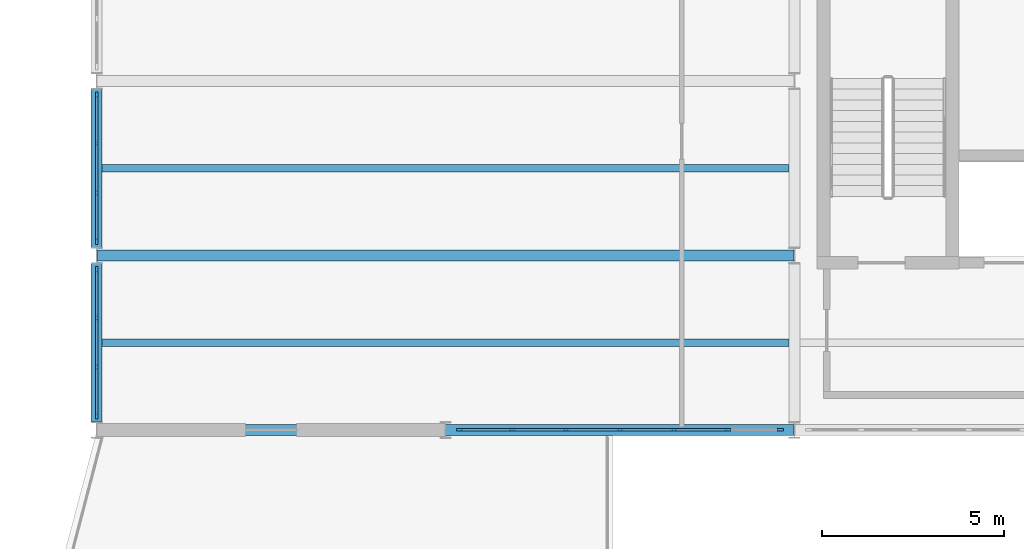
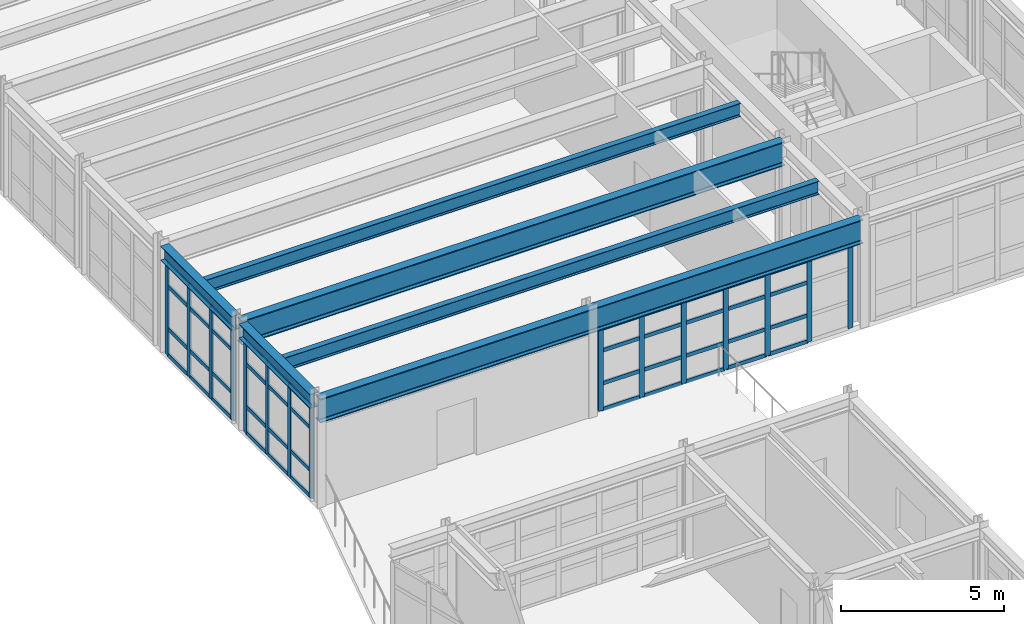
# One storey, part 14 of 47: 59 members, 6 beams, 3 elements without a shape of their own.
"""IFC4 building model written with IfcOpenShell, lengths in metres."""

from ifc_helpers import new_model, si_unit, direction, frame, origin, origin_2d, place, context, subcontext, project, spatial, rectangle, i_section, extrude, material, layer, layer_set, material_profile, profile_set, type_object, element, aggregate, save


model = new_model("IFC4")

# Units and contexts
model_context = context("Model", 3, precision=1e-05, world=origin(), true_north=direction((0.0, 1.0)))
body_context = subcontext(model_context, "Body", "Model", "MODEL_VIEW")
ifc_project = project(units=[si_unit("LENGTHUNIT", "METRE"), si_unit("AREAUNIT", "SQUARE_METRE"), si_unit("VOLUMEUNIT", "CUBIC_METRE"), si_unit("PLANEANGLEUNIT", "RADIAN"), si_unit("MASSUNIT", "GRAM", prefix="KILO")], contexts=[model_context])

# Site, building, storey
site_placement = place(None, origin())
site = spatial("IfcSite", under=ifc_project, at=site_placement, CompositionType="ELEMENT")
building_placement = place(site_placement, origin())
building = spatial("IfcBuilding", under=site, at=building_placement, Name="Nordkorset Police Headquarters", CompositionType="ELEMENT")
storey_placement = place(building_placement, frame((0.0, 0.0, 22.050048828125)))
storey = spatial("IfcBuildingStorey", under=building, at=storey_placement, Name="L05", CompositionType="ELEMENT", Elevation=22.050048828125)

# Beams
ifc_material_1 = material(Name="Steel S355J2", Category="steel")
ifc_material_profile_1 = material_profile(ifc_material_1, i_section(OverallWidth=0.199951171875, OverallDepth=0.5, WebThickness=0.01025390625, FlangeThickness=0.01611328125, FilletRadius=0.02099609375, at=origin_2d()), Name="IPE 500")
ifc_profile_set_1 = profile_set([ifc_material_profile_1], Name="Steel S355J2")
beam_type_1 = type_object("IfcBeamType", Name="Beam_IPE_500", PredefinedType="BEAM", material=ifc_profile_set_1)
for number, where, z_axis, x_axis, name in (
    (1, (0.14990234375, 85.60009765625, 3.75), (1.0, 0.0, 0.0), (0.0, 1.0, 0.0), "Composite Floor Beam V1 L05 0-0-1"),
    (2, (0.14990234375, 90.39990234375, 3.75), (1.0, 0.0, 0.0), (0.0, 1.0, 0.0), "Composite Floor Beam V1 L05 0-1-1"),
):
    element("IfcBeam", number, at=place(storey_placement, frame(where, z_axis=z_axis, x_axis=x_axis)), inside=storey, type_object=beam_type_1, Name=name, PredefinedType="BEAM", context=body_context, shape_type="SweptSolid", body=[
        extrude(i_section(OverallWidth=0.199951171875, OverallDepth=0.5, WebThickness=0.01025390625, FlangeThickness=0.01611328125, FilletRadius=0.02099609375, at=origin_2d()), origin(), (0.0, 0.0, 1.0), 18.900146484375),
    ])

# Curtain wall, members
ifc_material_2 = material(Name="Aluminium alloy AW-6060", Category="aluminium")
ifc_layer_1 = layer(ifc_material_2, 0.179931640625, Name="Aluminium alloy AW-6060")
ifc_layer_set_1 = layer_set([ifc_layer_1], Name="Aluminium alloy AW-6060")
curtain_wall_type_1 = type_object("IfcCurtainWallType", Name="CW_Unit_408x344", PredefinedType="USERDEFINED", material=ifc_layer_set_1)
curtain_wall_1_placement = place(storey_placement, origin())
curtain_wall_1 = element("IfcCurtainWall", 3, at=curtain_wall_1_placement, inside=storey, type_object=curtain_wall_type_1, Name="Unitised Curtain Wall L05 V1W-0", ObjectType="UNITISED CURTAIN WALL", PredefinedType="USERDEFINED")
ifc_material_3 = material(Name="Aluminium alloy AW-6060", Category="aluminium")
ifc_material_profile_2 = material_profile(ifc_material_3, rectangle(XDim=0.06494140625, YDim=0.179931640625, at=origin_2d()), Name="ALU MULL 65x180")
ifc_profile_set_2 = profile_set([ifc_material_profile_2], Name="Aluminium alloy AW-6060")
member_type_1 = type_object("IfcMemberType", Name="CW_Mullion_65x180", PredefinedType="MULLION", material=ifc_profile_set_2)
member_1_placement = place(storey_placement, frame((0.0, 83.592529296875, 0.0), z_axis=(0.0, 0.0, 1.0), x_axis=(-1.0, 0.0, 0.0)))
member_1 = element("IfcMember", 4, at=member_1_placement, type_object=member_type_1, Name="CW-29 mullion 1", PredefinedType="MULLION", context=body_context, shape_type="SweptSolid", body=[
    extrude(rectangle(XDim=0.06494140625, YDim=0.179931640625, at=origin_2d()), origin(), (0.0, 0.0, 1.0), 3.43994140625),
])
member_2_placement = place(storey_placement, frame((0.0, 84.919921875, 0.0), z_axis=(0.0, 0.0, 1.0), x_axis=(-1.0, 0.0, 0.0)))
member_2 = element("IfcMember", 5, at=member_2_placement, type_object=member_type_1, Name="CW-29 mullion 2", PredefinedType="MULLION", context=body_context, shape_type="SweptSolid", body=[
    extrude(rectangle(XDim=0.06494140625, YDim=0.179931640625, at=origin_2d()), origin(), (0.0, 0.0, 1.0), 3.43994140625),
])
member_3_placement = place(storey_placement, frame((0.0, 86.280029296875, 0.0), z_axis=(0.0, 0.0, 1.0), x_axis=(-1.0, 0.0, 0.0)))
member_3 = element("IfcMember", 6, at=member_3_placement, type_object=member_type_1, Name="CW-29 mullion 3", PredefinedType="MULLION", context=body_context, shape_type="SweptSolid", body=[
    extrude(rectangle(XDim=0.06494140625, YDim=0.179931640625, at=origin_2d()), origin(), (0.0, 0.0, 1.0), 3.43994140625),
])
member_4_placement = place(storey_placement, frame((0.0, 87.607421875, 0.0), z_axis=(0.0, 0.0, 1.0), x_axis=(-1.0, 0.0, 0.0)))
member_4 = element("IfcMember", 7, at=member_4_placement, type_object=member_type_1, Name="CW-29 mullion 4", PredefinedType="MULLION", context=body_context, shape_type="SweptSolid", body=[
    extrude(rectangle(XDim=0.06494140625, YDim=0.179931640625, at=origin_2d()), origin(), (0.0, 0.0, 1.0), 3.43994140625),
])

curtain_wall_2_placement = place(storey_placement, origin())
curtain_wall_2 = element("IfcCurtainWall", 8, at=curtain_wall_2_placement, inside=storey, type_object=curtain_wall_type_1, Name="Unitised Curtain Wall L05 V1W-1", ObjectType="UNITISED CURTAIN WALL", PredefinedType="USERDEFINED")
member_5_placement = place(storey_placement, frame((0.0, 88.392578125, 0.0), z_axis=(0.0, 0.0, 1.0), x_axis=(-1.0, 0.0, 0.0)))
member_5 = element("IfcMember", 9, at=member_5_placement, type_object=member_type_1, Name="CW-29 mullion 1", PredefinedType="MULLION", context=body_context, shape_type="SweptSolid", body=[
    extrude(rectangle(XDim=0.06494140625, YDim=0.179931640625, at=origin_2d()), origin(), (0.0, 0.0, 1.0), 3.43994140625),
])
member_6_placement = place(storey_placement, frame((0.0, 89.719970703125, 0.0), z_axis=(0.0, 0.0, 1.0), x_axis=(-1.0, 0.0, 0.0)))
member_6 = element("IfcMember", 10, at=member_6_placement, type_object=member_type_1, Name="CW-29 mullion 2", PredefinedType="MULLION", context=body_context, shape_type="SweptSolid", body=[
    extrude(rectangle(XDim=0.06494140625, YDim=0.179931640625, at=origin_2d()), origin(), (0.0, 0.0, 1.0), 3.43994140625),
])
member_7_placement = place(storey_placement, frame((0.0, 91.080078125, 0.0), z_axis=(0.0, 0.0, 1.0), x_axis=(-1.0, 0.0, 0.0)))
member_7 = element("IfcMember", 11, at=member_7_placement, type_object=member_type_1, Name="CW-29 mullion 3", PredefinedType="MULLION", context=body_context, shape_type="SweptSolid", body=[
    extrude(rectangle(XDim=0.06494140625, YDim=0.179931640625, at=origin_2d()), origin(), (0.0, 0.0, 1.0), 3.43994140625),
])
member_8_placement = place(storey_placement, frame((0.0, 92.407470703125, 0.0), z_axis=(0.0, 0.0, 1.0), x_axis=(-1.0, 0.0, 0.0)))
member_8 = element("IfcMember", 12, at=member_8_placement, type_object=member_type_1, Name="CW-29 mullion 4", PredefinedType="MULLION", context=body_context, shape_type="SweptSolid", body=[
    extrude(rectangle(XDim=0.06494140625, YDim=0.179931640625, at=origin_2d()), origin(), (0.0, 0.0, 1.0), 3.43994140625),
])

ifc_material_4 = material(Name="Aluminium alloy AW-6060", Category="aluminium")
ifc_layer_2 = layer(ifc_material_4, 0.179931640625, Name="Aluminium alloy AW-6060")
ifc_layer_set_2 = layer_set([ifc_layer_2], Name="Aluminium alloy AW-6060")
curtain_wall_type_2 = type_object("IfcCurtainWallType", Name="CW_Unit_888x308", PredefinedType="USERDEFINED", material=ifc_layer_set_2)
curtain_wall_3_placement = place(storey_placement, origin())
curtain_wall_3 = element("IfcCurtainWall", 13, at=curtain_wall_3_placement, inside=storey, type_object=curtain_wall_type_2, Name="Unitised Curtain Wall L05 V1S-1", ObjectType="UNITISED CURTAIN WALL", PredefinedType="USERDEFINED")
member_9_placement = place(storey_placement, frame((9.992431640625, 83.199951171875, 0.0), z_axis=(0.0, 0.0, 1.0), x_axis=(0.0, 1.0, 0.0)))
member_9 = element("IfcMember", 14, at=member_9_placement, type_object=member_type_1, Name="CW-81 mullion 1", PredefinedType="MULLION", context=body_context, shape_type="SweptSolid", body=[
    extrude(rectangle(XDim=0.06494140625, YDim=0.179931640625, at=origin_2d()), origin(), (0.0, 0.0, 1.0), 3.079833984375),
])
member_10_placement = place(storey_placement, frame((11.43994140625, 83.199951171875, 0.0), z_axis=(0.0, 0.0, 1.0), x_axis=(0.0, 1.0, 0.0)))
member_10 = element("IfcMember", 15, at=member_10_placement, type_object=member_type_1, Name="CW-81 mullion 2", PredefinedType="MULLION", context=body_context, shape_type="SweptSolid", body=[
    extrude(rectangle(XDim=0.06494140625, YDim=0.179931640625, at=origin_2d()), origin(), (0.0, 0.0, 1.0), 3.079833984375),
])
member_11_placement = place(storey_placement, frame((12.919921875, 83.199951171875, 0.0), z_axis=(0.0, 0.0, 1.0), x_axis=(0.0, 1.0, 0.0)))
member_11 = element("IfcMember", 16, at=member_11_placement, type_object=member_type_1, Name="CW-81 mullion 3", PredefinedType="MULLION", context=body_context, shape_type="SweptSolid", body=[
    extrude(rectangle(XDim=0.06494140625, YDim=0.179931640625, at=origin_2d()), origin(), (0.0, 0.0, 1.0), 3.079833984375),
])
member_12_placement = place(storey_placement, frame((14.39990234375, 83.199951171875, 0.0), z_axis=(0.0, 0.0, 1.0), x_axis=(0.0, 1.0, 0.0)))
member_12 = element("IfcMember", 17, at=member_12_placement, type_object=member_type_1, Name="CW-81 mullion 4", PredefinedType="MULLION", context=body_context, shape_type="SweptSolid", body=[
    extrude(rectangle(XDim=0.06494140625, YDim=0.179931640625, at=origin_2d()), origin(), (0.0, 0.0, 1.0), 3.079833984375),
])
member_13_placement = place(storey_placement, frame((15.8798828125, 83.199951171875, 0.0), z_axis=(0.0, 0.0, 1.0), x_axis=(0.0, 1.0, 0.0)))
member_13 = element("IfcMember", 18, at=member_13_placement, type_object=member_type_1, Name="CW-81 mullion 5", PredefinedType="MULLION", context=body_context, shape_type="SweptSolid", body=[
    extrude(rectangle(XDim=0.06494140625, YDim=0.179931640625, at=origin_2d()), origin(), (0.0, 0.0, 1.0), 3.079833984375),
])
member_14_placement = place(storey_placement, frame((17.360107421875, 83.199951171875, 0.0), z_axis=(0.0, 0.0, 1.0), x_axis=(0.0, 1.0, 0.0)))
member_14 = element("IfcMember", 19, at=member_14_placement, type_object=member_type_1, Name="CW-81 mullion 6", PredefinedType="MULLION", context=body_context, shape_type="SweptSolid", body=[
    extrude(rectangle(XDim=0.06494140625, YDim=0.179931640625, at=origin_2d()), origin(), (0.0, 0.0, 1.0), 3.079833984375),
])
member_15_placement = place(storey_placement, frame((18.8076171875, 83.199951171875, 0.0), z_axis=(0.0, 0.0, 1.0), x_axis=(0.0, 1.0, 0.0)))
member_15 = element("IfcMember", 20, at=member_15_placement, type_object=member_type_1, Name="CW-81 mullion 7", PredefinedType="MULLION", context=body_context, shape_type="SweptSolid", body=[
    extrude(rectangle(XDim=0.06494140625, YDim=0.179931640625, at=origin_2d()), origin(), (0.0, 0.0, 1.0), 3.079833984375),
])

# Member
ifc_material_5 = material(Name="Aluminium alloy AW-6060", Category="aluminium")
ifc_material_profile_3 = material_profile(ifc_material_5, rectangle(XDim=0.06494140625, YDim=0.139892578125, at=origin_2d()), Name="ALU TRAN 65x140")
ifc_profile_set_3 = profile_set([ifc_material_profile_3], Name="Aluminium alloy AW-6060")
member_type_2 = type_object("IfcMemberType", Name="CW_Transom_65x140", PredefinedType="USERDEFINED", material=ifc_profile_set_3)
member_16_placement = place(storey_placement, frame((0.0, 83.625, 0.032470703125), z_axis=(0.0, 1.0, 0.0), x_axis=(-1.0, 0.0, 0.0)))
member_16 = element("IfcMember", 21, at=member_16_placement, type_object=member_type_2, Name="CW-29 transom 1.1", ObjectType="TRANSOM", PredefinedType="USERDEFINED", context=body_context, shape_type="SweptSolid", body=[
    extrude(rectangle(XDim=0.06494140625, YDim=0.139892578125, at=origin_2d()), origin(), (0.0, 0.0, 1.0), 1.262451171875),
])

member_17_placement = place(storey_placement, frame((0.0, 83.625, 1.0), z_axis=(0.0, 1.0, 0.0), x_axis=(-1.0, 0.0, 0.0)))
member_17 = element("IfcMember", 22, at=member_17_placement, type_object=member_type_2, Name="CW-29 transom 1.2", ObjectType="TRANSOM", PredefinedType="USERDEFINED", context=body_context, shape_type="SweptSolid", body=[
    extrude(rectangle(XDim=0.06494140625, YDim=0.139892578125, at=origin_2d()), origin(), (0.0, 0.0, 1.0), 1.262451171875),
])

member_18_placement = place(storey_placement, frame((0.0, 83.625, 2.58984375), z_axis=(0.0, 1.0, 0.0), x_axis=(-1.0, 0.0, 0.0)))
member_18 = element("IfcMember", 23, at=member_18_placement, type_object=member_type_2, Name="CW-29 transom 1.3", ObjectType="TRANSOM", PredefinedType="USERDEFINED", context=body_context, shape_type="SweptSolid", body=[
    extrude(rectangle(XDim=0.06494140625, YDim=0.139892578125, at=origin_2d()), origin(), (0.0, 0.0, 1.0), 1.262451171875),
])

member_19_placement = place(storey_placement, frame((0.0, 83.625, 3.407470703125), z_axis=(0.0, 1.0, 0.0), x_axis=(-1.0, 0.0, 0.0)))
member_19 = element("IfcMember", 24, at=member_19_placement, type_object=member_type_2, Name="CW-29 transom 1.4", ObjectType="TRANSOM", PredefinedType="USERDEFINED", context=body_context, shape_type="SweptSolid", body=[
    extrude(rectangle(XDim=0.06494140625, YDim=0.139892578125, at=origin_2d()), origin(), (0.0, 0.0, 1.0), 1.262451171875),
])

member_20_placement = place(storey_placement, frame((0.0, 84.952392578125, 0.032470703125), z_axis=(0.0, 1.0, 0.0), x_axis=(-1.0, 0.0, 0.0)))
member_20 = element("IfcMember", 25, at=member_20_placement, type_object=member_type_2, Name="CW-29 transom 2.1", ObjectType="TRANSOM", PredefinedType="USERDEFINED", context=body_context, shape_type="SweptSolid", body=[
    extrude(rectangle(XDim=0.06494140625, YDim=0.139892578125, at=origin_2d()), origin(), (0.0, 0.0, 1.0), 1.295166015625),
])

member_21_placement = place(storey_placement, frame((0.0, 84.952392578125, 1.0), z_axis=(0.0, 1.0, 0.0), x_axis=(-1.0, 0.0, 0.0)))
member_21 = element("IfcMember", 26, at=member_21_placement, type_object=member_type_2, Name="CW-29 transom 2.2", ObjectType="TRANSOM", PredefinedType="USERDEFINED", context=body_context, shape_type="SweptSolid", body=[
    extrude(rectangle(XDim=0.06494140625, YDim=0.139892578125, at=origin_2d()), origin(), (0.0, 0.0, 1.0), 1.295166015625),
])

member_22_placement = place(storey_placement, frame((0.0, 84.952392578125, 2.58984375), z_axis=(0.0, 1.0, 0.0), x_axis=(-1.0, 0.0, 0.0)))
member_22 = element("IfcMember", 27, at=member_22_placement, type_object=member_type_2, Name="CW-29 transom 2.3", ObjectType="TRANSOM", PredefinedType="USERDEFINED", context=body_context, shape_type="SweptSolid", body=[
    extrude(rectangle(XDim=0.06494140625, YDim=0.139892578125, at=origin_2d()), origin(), (0.0, 0.0, 1.0), 1.295166015625),
])

member_23_placement = place(storey_placement, frame((0.0, 84.952392578125, 3.407470703125), z_axis=(0.0, 1.0, 0.0), x_axis=(-1.0, 0.0, 0.0)))
member_23 = element("IfcMember", 28, at=member_23_placement, type_object=member_type_2, Name="CW-29 transom 2.4", ObjectType="TRANSOM", PredefinedType="USERDEFINED", context=body_context, shape_type="SweptSolid", body=[
    extrude(rectangle(XDim=0.06494140625, YDim=0.139892578125, at=origin_2d()), origin(), (0.0, 0.0, 1.0), 1.295166015625),
])

member_24_placement = place(storey_placement, frame((0.0, 86.3125, 0.032470703125), z_axis=(0.0, 1.0, 0.0), x_axis=(-1.0, 0.0, 0.0)))
member_24 = element("IfcMember", 29, at=member_24_placement, type_object=member_type_2, Name="CW-29 transom 3.1", ObjectType="TRANSOM", PredefinedType="USERDEFINED", context=body_context, shape_type="SweptSolid", body=[
    extrude(rectangle(XDim=0.06494140625, YDim=0.139892578125, at=origin_2d()), origin(), (0.0, 0.0, 1.0), 1.262451171875),
])

member_25_placement = place(storey_placement, frame((0.0, 86.3125, 1.0), z_axis=(0.0, 1.0, 0.0), x_axis=(-1.0, 0.0, 0.0)))
member_25 = element("IfcMember", 30, at=member_25_placement, type_object=member_type_2, Name="CW-29 transom 3.2", ObjectType="TRANSOM", PredefinedType="USERDEFINED", context=body_context, shape_type="SweptSolid", body=[
    extrude(rectangle(XDim=0.06494140625, YDim=0.139892578125, at=origin_2d()), origin(), (0.0, 0.0, 1.0), 1.262451171875),
])

member_26_placement = place(storey_placement, frame((0.0, 86.3125, 2.58984375), z_axis=(0.0, 1.0, 0.0), x_axis=(-1.0, 0.0, 0.0)))
member_26 = element("IfcMember", 31, at=member_26_placement, type_object=member_type_2, Name="CW-29 transom 3.3", ObjectType="TRANSOM", PredefinedType="USERDEFINED", context=body_context, shape_type="SweptSolid", body=[
    extrude(rectangle(XDim=0.06494140625, YDim=0.139892578125, at=origin_2d()), origin(), (0.0, 0.0, 1.0), 1.262451171875),
])

member_27_placement = place(storey_placement, frame((0.0, 86.3125, 3.407470703125), z_axis=(0.0, 1.0, 0.0), x_axis=(-1.0, 0.0, 0.0)))
member_27 = element("IfcMember", 32, at=member_27_placement, type_object=member_type_2, Name="CW-29 transom 3.4", ObjectType="TRANSOM", PredefinedType="USERDEFINED", context=body_context, shape_type="SweptSolid", body=[
    extrude(rectangle(XDim=0.06494140625, YDim=0.139892578125, at=origin_2d()), origin(), (0.0, 0.0, 1.0), 1.262451171875),
])

aggregate(curtain_wall_1, [member_1, member_2, member_3, member_4, member_16, member_17, member_18, member_19, member_20, member_21, member_22, member_23, member_24, member_25, member_26, member_27])

member_28_placement = place(storey_placement, frame((0.0, 88.425048828125, 0.032470703125), z_axis=(0.0, 1.0, 0.0), x_axis=(-1.0, 0.0, 0.0)))
member_28 = element("IfcMember", 33, at=member_28_placement, type_object=member_type_2, Name="CW-29 transom 1.1", ObjectType="TRANSOM", PredefinedType="USERDEFINED", context=body_context, shape_type="SweptSolid", body=[
    extrude(rectangle(XDim=0.06494140625, YDim=0.139892578125, at=origin_2d()), origin(), (0.0, 0.0, 1.0), 1.262451171875),
])

member_29_placement = place(storey_placement, frame((0.0, 88.425048828125, 1.0), z_axis=(0.0, 1.0, 0.0), x_axis=(-1.0, 0.0, 0.0)))
member_29 = element("IfcMember", 34, at=member_29_placement, type_object=member_type_2, Name="CW-29 transom 1.2", ObjectType="TRANSOM", PredefinedType="USERDEFINED", context=body_context, shape_type="SweptSolid", body=[
    extrude(rectangle(XDim=0.06494140625, YDim=0.139892578125, at=origin_2d()), origin(), (0.0, 0.0, 1.0), 1.262451171875),
])

member_30_placement = place(storey_placement, frame((0.0, 88.425048828125, 2.58984375), z_axis=(0.0, 1.0, 0.0), x_axis=(-1.0, 0.0, 0.0)))
member_30 = element("IfcMember", 35, at=member_30_placement, type_object=member_type_2, Name="CW-29 transom 1.3", ObjectType="TRANSOM", PredefinedType="USERDEFINED", context=body_context, shape_type="SweptSolid", body=[
    extrude(rectangle(XDim=0.06494140625, YDim=0.139892578125, at=origin_2d()), origin(), (0.0, 0.0, 1.0), 1.262451171875),
])

member_31_placement = place(storey_placement, frame((0.0, 88.425048828125, 3.407470703125), z_axis=(0.0, 1.0, 0.0), x_axis=(-1.0, 0.0, 0.0)))
member_31 = element("IfcMember", 36, at=member_31_placement, type_object=member_type_2, Name="CW-29 transom 1.4", ObjectType="TRANSOM", PredefinedType="USERDEFINED", context=body_context, shape_type="SweptSolid", body=[
    extrude(rectangle(XDim=0.06494140625, YDim=0.139892578125, at=origin_2d()), origin(), (0.0, 0.0, 1.0), 1.262451171875),
])

member_32_placement = place(storey_placement, frame((0.0, 89.75244140625, 0.032470703125), z_axis=(0.0, 1.0, 0.0), x_axis=(-1.0, 0.0, 0.0)))
member_32 = element("IfcMember", 37, at=member_32_placement, type_object=member_type_2, Name="CW-29 transom 2.1", ObjectType="TRANSOM", PredefinedType="USERDEFINED", context=body_context, shape_type="SweptSolid", body=[
    extrude(rectangle(XDim=0.06494140625, YDim=0.139892578125, at=origin_2d()), origin(), (0.0, 0.0, 1.0), 1.295166015625),
])

member_33_placement = place(storey_placement, frame((0.0, 89.75244140625, 1.0), z_axis=(0.0, 1.0, 0.0), x_axis=(-1.0, 0.0, 0.0)))
member_33 = element("IfcMember", 38, at=member_33_placement, type_object=member_type_2, Name="CW-29 transom 2.2", ObjectType="TRANSOM", PredefinedType="USERDEFINED", context=body_context, shape_type="SweptSolid", body=[
    extrude(rectangle(XDim=0.06494140625, YDim=0.139892578125, at=origin_2d()), origin(), (0.0, 0.0, 1.0), 1.295166015625),
])

member_34_placement = place(storey_placement, frame((0.0, 89.75244140625, 2.58984375), z_axis=(0.0, 1.0, 0.0), x_axis=(-1.0, 0.0, 0.0)))
member_34 = element("IfcMember", 39, at=member_34_placement, type_object=member_type_2, Name="CW-29 transom 2.3", ObjectType="TRANSOM", PredefinedType="USERDEFINED", context=body_context, shape_type="SweptSolid", body=[
    extrude(rectangle(XDim=0.06494140625, YDim=0.139892578125, at=origin_2d()), origin(), (0.0, 0.0, 1.0), 1.295166015625),
])

member_35_placement = place(storey_placement, frame((0.0, 89.75244140625, 3.407470703125), z_axis=(0.0, 1.0, 0.0), x_axis=(-1.0, 0.0, 0.0)))
member_35 = element("IfcMember", 40, at=member_35_placement, type_object=member_type_2, Name="CW-29 transom 2.4", ObjectType="TRANSOM", PredefinedType="USERDEFINED", context=body_context, shape_type="SweptSolid", body=[
    extrude(rectangle(XDim=0.06494140625, YDim=0.139892578125, at=origin_2d()), origin(), (0.0, 0.0, 1.0), 1.295166015625),
])

member_36_placement = place(storey_placement, frame((0.0, 91.112548828125, 0.032470703125), z_axis=(0.0, 1.0, 0.0), x_axis=(-1.0, 0.0, 0.0)))
member_36 = element("IfcMember", 41, at=member_36_placement, type_object=member_type_2, Name="CW-29 transom 3.1", ObjectType="TRANSOM", PredefinedType="USERDEFINED", context=body_context, shape_type="SweptSolid", body=[
    extrude(rectangle(XDim=0.06494140625, YDim=0.139892578125, at=origin_2d()), origin(), (0.0, 0.0, 1.0), 1.262451171875),
])

member_37_placement = place(storey_placement, frame((0.0, 91.112548828125, 1.0), z_axis=(0.0, 1.0, 0.0), x_axis=(-1.0, 0.0, 0.0)))
member_37 = element("IfcMember", 42, at=member_37_placement, type_object=member_type_2, Name="CW-29 transom 3.2", ObjectType="TRANSOM", PredefinedType="USERDEFINED", context=body_context, shape_type="SweptSolid", body=[
    extrude(rectangle(XDim=0.06494140625, YDim=0.139892578125, at=origin_2d()), origin(), (0.0, 0.0, 1.0), 1.262451171875),
])

member_38_placement = place(storey_placement, frame((0.0, 91.112548828125, 2.58984375), z_axis=(0.0, 1.0, 0.0), x_axis=(-1.0, 0.0, 0.0)))
member_38 = element("IfcMember", 43, at=member_38_placement, type_object=member_type_2, Name="CW-29 transom 3.3", ObjectType="TRANSOM", PredefinedType="USERDEFINED", context=body_context, shape_type="SweptSolid", body=[
    extrude(rectangle(XDim=0.06494140625, YDim=0.139892578125, at=origin_2d()), origin(), (0.0, 0.0, 1.0), 1.262451171875),
])

member_39_placement = place(storey_placement, frame((0.0, 91.112548828125, 3.407470703125), z_axis=(0.0, 1.0, 0.0), x_axis=(-1.0, 0.0, 0.0)))
member_39 = element("IfcMember", 44, at=member_39_placement, type_object=member_type_2, Name="CW-29 transom 3.4", ObjectType="TRANSOM", PredefinedType="USERDEFINED", context=body_context, shape_type="SweptSolid", body=[
    extrude(rectangle(XDim=0.06494140625, YDim=0.139892578125, at=origin_2d()), origin(), (0.0, 0.0, 1.0), 1.262451171875),
])

aggregate(curtain_wall_2, [member_5, member_6, member_7, member_8, member_28, member_29, member_30, member_31, member_32, member_33, member_34, member_35, member_36, member_37, member_38, member_39])

member_40_placement = place(storey_placement, frame((10.02490234375, 83.199951171875, 0.032470703125), z_axis=(1.0, 0.0, 0.0), x_axis=(0.0, 1.0, 0.0)))
member_40 = element("IfcMember", 45, at=member_40_placement, type_object=member_type_2, Name="CW-81 transom 1.1", ObjectType="TRANSOM", PredefinedType="USERDEFINED", context=body_context, shape_type="SweptSolid", body=[
    extrude(rectangle(XDim=0.06494140625, YDim=0.139892578125, at=origin_2d()), origin(), (0.0, 0.0, 1.0), 1.382568359375),
])

member_41_placement = place(storey_placement, frame((10.02490234375, 83.199951171875, 1.0), z_axis=(1.0, 0.0, 0.0), x_axis=(0.0, 1.0, 0.0)))
member_41 = element("IfcMember", 46, at=member_41_placement, type_object=member_type_2, Name="CW-81 transom 1.2", ObjectType="TRANSOM", PredefinedType="USERDEFINED", context=body_context, shape_type="SweptSolid", body=[
    extrude(rectangle(XDim=0.06494140625, YDim=0.139892578125, at=origin_2d()), origin(), (0.0, 0.0, 1.0), 1.382568359375),
])

member_42_placement = place(storey_placement, frame((10.02490234375, 83.199951171875, 2.22998046875), z_axis=(1.0, 0.0, 0.0), x_axis=(0.0, 1.0, 0.0)))
member_42 = element("IfcMember", 47, at=member_42_placement, type_object=member_type_2, Name="CW-81 transom 1.3", ObjectType="TRANSOM", PredefinedType="USERDEFINED", context=body_context, shape_type="SweptSolid", body=[
    extrude(rectangle(XDim=0.06494140625, YDim=0.139892578125, at=origin_2d()), origin(), (0.0, 0.0, 1.0), 1.382568359375),
])

member_43_placement = place(storey_placement, frame((10.02490234375, 83.199951171875, 3.04736328125), z_axis=(1.0, 0.0, 0.0), x_axis=(0.0, 1.0, 0.0)))
member_43 = element("IfcMember", 48, at=member_43_placement, type_object=member_type_2, Name="CW-81 transom 1.4", ObjectType="TRANSOM", PredefinedType="USERDEFINED", context=body_context, shape_type="SweptSolid", body=[
    extrude(rectangle(XDim=0.06494140625, YDim=0.139892578125, at=origin_2d()), origin(), (0.0, 0.0, 1.0), 1.382568359375),
])

member_44_placement = place(storey_placement, frame((11.472412109375, 83.199951171875, 0.032470703125), z_axis=(1.0, 0.0, 0.0), x_axis=(0.0, 1.0, 0.0)))
member_44 = element("IfcMember", 49, at=member_44_placement, type_object=member_type_2, Name="CW-81 transom 2.1", ObjectType="TRANSOM", PredefinedType="USERDEFINED", context=body_context, shape_type="SweptSolid", body=[
    extrude(rectangle(XDim=0.06494140625, YDim=0.139892578125, at=origin_2d()), origin(), (0.0, 0.0, 1.0), 1.4150390625),
])

member_45_placement = place(storey_placement, frame((11.472412109375, 83.199951171875, 1.0), z_axis=(1.0, 0.0, 0.0), x_axis=(0.0, 1.0, 0.0)))
member_45 = element("IfcMember", 50, at=member_45_placement, type_object=member_type_2, Name="CW-81 transom 2.2", ObjectType="TRANSOM", PredefinedType="USERDEFINED", context=body_context, shape_type="SweptSolid", body=[
    extrude(rectangle(XDim=0.06494140625, YDim=0.139892578125, at=origin_2d()), origin(), (0.0, 0.0, 1.0), 1.4150390625),
])

member_46_placement = place(storey_placement, frame((11.472412109375, 83.199951171875, 2.22998046875), z_axis=(1.0, 0.0, 0.0), x_axis=(0.0, 1.0, 0.0)))
member_46 = element("IfcMember", 51, at=member_46_placement, type_object=member_type_2, Name="CW-81 transom 2.3", ObjectType="TRANSOM", PredefinedType="USERDEFINED", context=body_context, shape_type="SweptSolid", body=[
    extrude(rectangle(XDim=0.06494140625, YDim=0.139892578125, at=origin_2d()), origin(), (0.0, 0.0, 1.0), 1.4150390625),
])

member_47_placement = place(storey_placement, frame((11.472412109375, 83.199951171875, 3.04736328125), z_axis=(1.0, 0.0, 0.0), x_axis=(0.0, 1.0, 0.0)))
member_47 = element("IfcMember", 52, at=member_47_placement, type_object=member_type_2, Name="CW-81 transom 2.4", ObjectType="TRANSOM", PredefinedType="USERDEFINED", context=body_context, shape_type="SweptSolid", body=[
    extrude(rectangle(XDim=0.06494140625, YDim=0.139892578125, at=origin_2d()), origin(), (0.0, 0.0, 1.0), 1.4150390625),
])

member_48_placement = place(storey_placement, frame((12.952392578125, 83.199951171875, 0.032470703125), z_axis=(1.0, 0.0, 0.0), x_axis=(0.0, 1.0, 0.0)))
member_48 = element("IfcMember", 53, at=member_48_placement, type_object=member_type_2, Name="CW-81 transom 3.1", ObjectType="TRANSOM", PredefinedType="USERDEFINED", context=body_context, shape_type="SweptSolid", body=[
    extrude(rectangle(XDim=0.06494140625, YDim=0.139892578125, at=origin_2d()), origin(), (0.0, 0.0, 1.0), 1.4150390625),
])

member_49_placement = place(storey_placement, frame((12.952392578125, 83.199951171875, 1.0), z_axis=(1.0, 0.0, 0.0), x_axis=(0.0, 1.0, 0.0)))
member_49 = element("IfcMember", 54, at=member_49_placement, type_object=member_type_2, Name="CW-81 transom 3.2", ObjectType="TRANSOM", PredefinedType="USERDEFINED", context=body_context, shape_type="SweptSolid", body=[
    extrude(rectangle(XDim=0.06494140625, YDim=0.139892578125, at=origin_2d()), origin(), (0.0, 0.0, 1.0), 1.4150390625),
])

member_50_placement = place(storey_placement, frame((12.952392578125, 83.199951171875, 2.22998046875), z_axis=(1.0, 0.0, 0.0), x_axis=(0.0, 1.0, 0.0)))
member_50 = element("IfcMember", 55, at=member_50_placement, type_object=member_type_2, Name="CW-81 transom 3.3", ObjectType="TRANSOM", PredefinedType="USERDEFINED", context=body_context, shape_type="SweptSolid", body=[
    extrude(rectangle(XDim=0.06494140625, YDim=0.139892578125, at=origin_2d()), origin(), (0.0, 0.0, 1.0), 1.4150390625),
])

member_51_placement = place(storey_placement, frame((12.952392578125, 83.199951171875, 3.04736328125), z_axis=(1.0, 0.0, 0.0), x_axis=(0.0, 1.0, 0.0)))
member_51 = element("IfcMember", 56, at=member_51_placement, type_object=member_type_2, Name="CW-81 transom 3.4", ObjectType="TRANSOM", PredefinedType="USERDEFINED", context=body_context, shape_type="SweptSolid", body=[
    extrude(rectangle(XDim=0.06494140625, YDim=0.139892578125, at=origin_2d()), origin(), (0.0, 0.0, 1.0), 1.4150390625),
])

member_52_placement = place(storey_placement, frame((14.4326171875, 83.199951171875, 0.032470703125), z_axis=(1.0, 0.0, 0.0), x_axis=(0.0, 1.0, 0.0)))
member_52 = element("IfcMember", 57, at=member_52_placement, type_object=member_type_2, Name="CW-81 transom 4.1", ObjectType="TRANSOM", PredefinedType="USERDEFINED", context=body_context, shape_type="SweptSolid", body=[
    extrude(rectangle(XDim=0.06494140625, YDim=0.139892578125, at=origin_2d()), origin(), (0.0, 0.0, 1.0), 1.414794921875),
])

member_53_placement = place(storey_placement, frame((14.4326171875, 83.199951171875, 1.0), z_axis=(1.0, 0.0, 0.0), x_axis=(0.0, 1.0, 0.0)))
member_53 = element("IfcMember", 58, at=member_53_placement, type_object=member_type_2, Name="CW-81 transom 4.2", ObjectType="TRANSOM", PredefinedType="USERDEFINED", context=body_context, shape_type="SweptSolid", body=[
    extrude(rectangle(XDim=0.06494140625, YDim=0.139892578125, at=origin_2d()), origin(), (0.0, 0.0, 1.0), 1.414794921875),
])

member_54_placement = place(storey_placement, frame((14.4326171875, 83.199951171875, 2.22998046875), z_axis=(1.0, 0.0, 0.0), x_axis=(0.0, 1.0, 0.0)))
member_54 = element("IfcMember", 59, at=member_54_placement, type_object=member_type_2, Name="CW-81 transom 4.3", ObjectType="TRANSOM", PredefinedType="USERDEFINED", context=body_context, shape_type="SweptSolid", body=[
    extrude(rectangle(XDim=0.06494140625, YDim=0.139892578125, at=origin_2d()), origin(), (0.0, 0.0, 1.0), 1.414794921875),
])

member_55_placement = place(storey_placement, frame((14.4326171875, 83.199951171875, 3.04736328125), z_axis=(1.0, 0.0, 0.0), x_axis=(0.0, 1.0, 0.0)))
member_55 = element("IfcMember", 60, at=member_55_placement, type_object=member_type_2, Name="CW-81 transom 4.4", ObjectType="TRANSOM", PredefinedType="USERDEFINED", context=body_context, shape_type="SweptSolid", body=[
    extrude(rectangle(XDim=0.06494140625, YDim=0.139892578125, at=origin_2d()), origin(), (0.0, 0.0, 1.0), 1.414794921875),
])

member_56_placement = place(storey_placement, frame((15.91259765625, 83.199951171875, 0.032470703125), z_axis=(1.0, 0.0, 0.0), x_axis=(0.0, 1.0, 0.0)))
member_56 = element("IfcMember", 61, at=member_56_placement, type_object=member_type_2, Name="CW-81 transom 5.1", ObjectType="TRANSOM", PredefinedType="USERDEFINED", context=body_context, shape_type="SweptSolid", body=[
    extrude(rectangle(XDim=0.06494140625, YDim=0.139892578125, at=origin_2d()), origin(), (0.0, 0.0, 1.0), 1.414794921875),
])

member_57_placement = place(storey_placement, frame((15.91259765625, 83.199951171875, 1.0), z_axis=(1.0, 0.0, 0.0), x_axis=(0.0, 1.0, 0.0)))
member_57 = element("IfcMember", 62, at=member_57_placement, type_object=member_type_2, Name="CW-81 transom 5.2", ObjectType="TRANSOM", PredefinedType="USERDEFINED", context=body_context, shape_type="SweptSolid", body=[
    extrude(rectangle(XDim=0.06494140625, YDim=0.139892578125, at=origin_2d()), origin(), (0.0, 0.0, 1.0), 1.414794921875),
])

member_58_placement = place(storey_placement, frame((15.91259765625, 83.199951171875, 2.22998046875), z_axis=(1.0, 0.0, 0.0), x_axis=(0.0, 1.0, 0.0)))
member_58 = element("IfcMember", 63, at=member_58_placement, type_object=member_type_2, Name="CW-81 transom 5.3", ObjectType="TRANSOM", PredefinedType="USERDEFINED", context=body_context, shape_type="SweptSolid", body=[
    extrude(rectangle(XDim=0.06494140625, YDim=0.139892578125, at=origin_2d()), origin(), (0.0, 0.0, 1.0), 1.414794921875),
])

member_59_placement = place(storey_placement, frame((15.91259765625, 83.199951171875, 3.04736328125), z_axis=(1.0, 0.0, 0.0), x_axis=(0.0, 1.0, 0.0)))
member_59 = element("IfcMember", 64, at=member_59_placement, type_object=member_type_2, Name="CW-81 transom 5.4", ObjectType="TRANSOM", PredefinedType="USERDEFINED", context=body_context, shape_type="SweptSolid", body=[
    extrude(rectangle(XDim=0.06494140625, YDim=0.139892578125, at=origin_2d()), origin(), (0.0, 0.0, 1.0), 1.414794921875),
])

aggregate(curtain_wall_3, [member_9, member_10, member_11, member_12, member_13, member_14, member_15, member_40, member_41, member_42, member_43, member_44, member_45, member_46, member_47, member_48, member_49, member_50, member_51, member_52, member_53, member_54, member_55, member_56, member_57, member_58, member_59])

# Beams
ifc_material_6 = material(Name="Steel S355J2", Category="steel")
ifc_material_profile_4 = material_profile(ifc_material_6, i_section(OverallWidth=0.300048828125, OverallDepth=0.5400390625, WebThickness=0.012451171875, FlangeThickness=0.02392578125, FilletRadius=0.027099609375, at=origin_2d()), Name="HEA 550")
ifc_profile_set_4 = profile_set([ifc_material_profile_4], Name="Steel S355J2")
beam_type_2 = type_object("IfcBeamType", Name="Girder_HEA_550", PredefinedType="USERDEFINED", material=ifc_profile_set_4)
for number, where, z_axis, x_axis, name in (
    (65, (0.0, 83.425048828125, 3.72998046875), (0.0, 1.0, 0.0), (-1.0, 0.0, 0.0), "Girder V1 L05 GY-0-0"),
    (66, (0.0, 88.22509765625, 3.72998046875), (0.0, 1.0, 0.0), (-1.0, 0.0, 0.0), "Girder V1 L05 GY-0-1"),
):
    element("IfcBeam", number, at=place(storey_placement, frame(where, z_axis=z_axis, x_axis=x_axis)), inside=storey, type_object=beam_type_2, Name=name, ObjectType="GIRDER", PredefinedType="USERDEFINED", context=body_context, shape_type="SweptSolid", body=[
        extrude(i_section(OverallWidth=0.300048828125, OverallDepth=0.5400390625, WebThickness=0.012451171875, FlangeThickness=0.02392578125, FilletRadius=0.027099609375, at=origin_2d()), origin(), (0.0, 0.0, 1.0), 4.349853515625),
    ])
ifc_material_7 = material(Name="Steel S355J2", Category="steel")
ifc_material_profile_5 = material_profile(ifc_material_7, i_section(OverallWidth=0.300048828125, OverallDepth=0.89990234375, WebThickness=0.0185546875, FlangeThickness=0.034912109375, FilletRadius=0.030029296875, at=origin_2d()), Name="HEB 900")
ifc_profile_set_5 = profile_set([ifc_material_profile_5], Name="Steel S355J2")
beam_type_3 = type_object("IfcBeamType", Name="Girder_HEB_900", PredefinedType="USERDEFINED", material=ifc_profile_set_5)
for number, where, z_axis, x_axis, name in (
    (67, (0.007080078125, 83.199951171875, 3.550048828125), (1.0, 0.0, 0.0), (0.0, 1.0, 0.0), "Girder V1 L05 GX-0-0"),
    (68, (0.007080078125, 88.0, 3.550048828125), (1.0, 0.0, 0.0), (0.0, 1.0, 0.0), "Girder V1 L05 GX-1-0"),
):
    element("IfcBeam", number, at=place(storey_placement, frame(where, z_axis=z_axis, x_axis=x_axis)), inside=storey, type_object=beam_type_3, Name=name, ObjectType="GIRDER", PredefinedType="USERDEFINED", context=body_context, shape_type="SweptSolid", body=[
        extrude(i_section(OverallWidth=0.300048828125, OverallDepth=0.89990234375, WebThickness=0.0185546875, FlangeThickness=0.034912109375, FilletRadius=0.030029296875, at=origin_2d()), origin(), (0.0, 0.0, 1.0), 19.18603515625),
    ])

save(model, "model.ifc")
